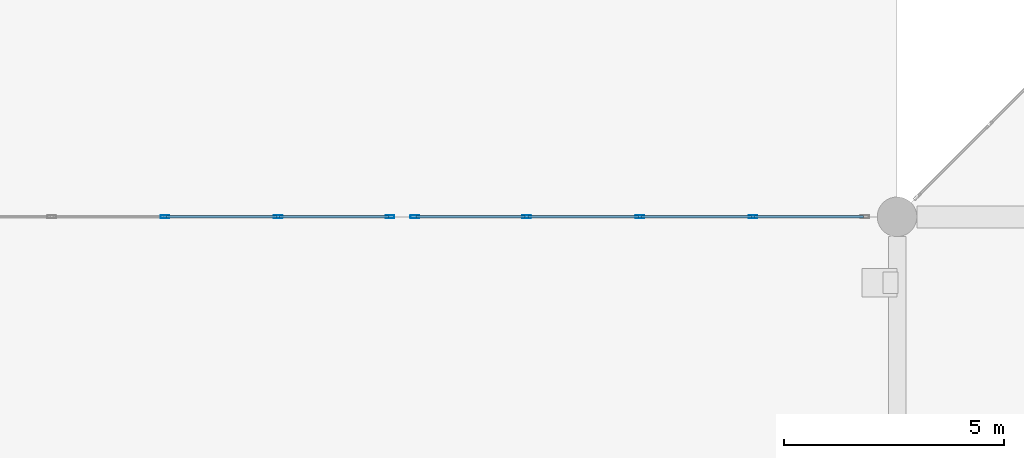
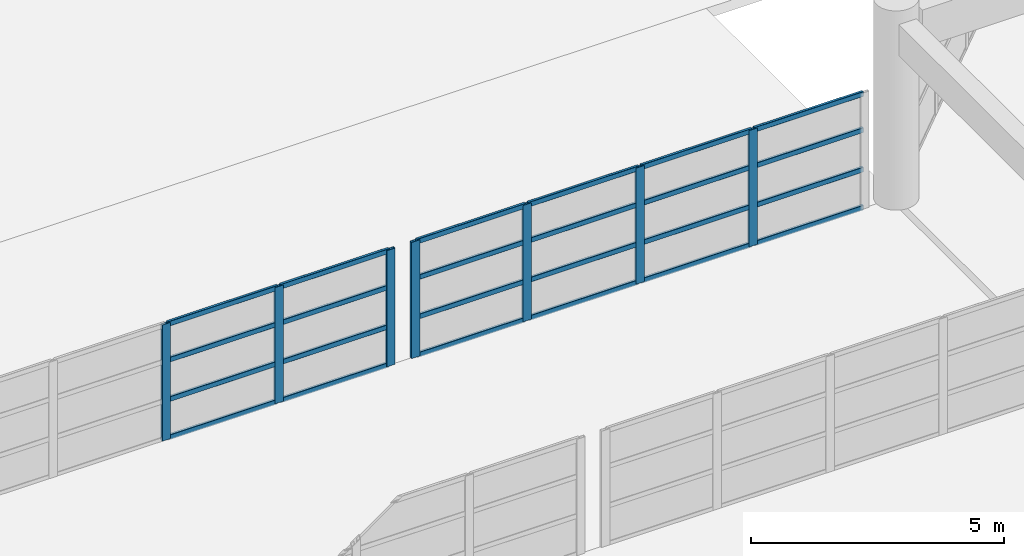
# One storey, part 27 of 122: 31 members, 2 elements without a shape of their own.
"""IFC4 building model written with IfcOpenShell, lengths in metres."""

from ifc_helpers import new_model, si_unit, direction, frame, origin, origin_2d, place, context, subcontext, project, spatial, hollow_rectangle, extrude, material, material_profile, profile_set, type_object, element, aggregate, save


model = new_model("IFC4")

# Units and contexts
model_context = context("Model", 3, precision=1e-05, world=origin(), true_north=direction((0.0, 1.0)))
body_context = subcontext(model_context, "Body", "Model", "MODEL_VIEW")
ifc_project = project(units=[si_unit("LENGTHUNIT", "METRE"), si_unit("AREAUNIT", "SQUARE_METRE"), si_unit("VOLUMEUNIT", "CUBIC_METRE"), si_unit("PLANEANGLEUNIT", "RADIAN"), si_unit("MASSUNIT", "GRAM", prefix="KILO")], contexts=[model_context])

# Site, building, storey
site_placement = place(None, origin())
site = spatial("IfcSite", under=ifc_project, at=site_placement, CompositionType="ELEMENT")
building_placement = place(site_placement, origin())
building = spatial("IfcBuilding", under=site, at=building_placement, Name="Qasida Concert Hall", CompositionType="ELEMENT")
storey_placement = place(building_placement, origin())
storey = spatial("IfcBuildingStorey", under=building, at=storey_placement, Name="L00", CompositionType="ELEMENT", Elevation=0.0)

# Curtain wall, members
ifc_material_1 = material(Name="Architectural bronze-anodized aluminium and low-E glass", Category="aluminium")
curtain_wall_type = type_object("IfcCurtainWallType", Name="CW-07", PredefinedType="NOTDEFINED", material=ifc_material_1)
curtain_wall_1_placement = place(storey_placement, origin())
curtain_wall_1 = element("IfcCurtainWall", 1, at=curtain_wall_1_placement, inside=storey, type_object=curtain_wall_type, Name="L00 link bridge glazing 0231", PredefinedType="NOTDEFINED")
ifc_material_2 = material(Name="Architectural bronze-anodized aluminium EN AW-6063", Category="aluminium")
ifc_material_profile_1 = material_profile(ifc_material_2, hollow_rectangle(XDim=0.06494140625, YDim=0.199951171875, WallThickness=0.0048828125, InnerFilletRadius=0.0048828125, OuterFilletRadius=0.010009765625, at=origin_2d()), Name="CWM 200x65x5")
ifc_profile_set_1 = profile_set([ifc_material_profile_1], Name="Architectural bronze-anodized aluminium EN AW-6063")
member_type_1 = type_object("IfcMemberType", Name="MB-CWM-2", PredefinedType="MULLION", material=ifc_profile_set_1)
member_1_placement = place(storey_placement, frame((110.85009765625, 22.5, 0.0), z_axis=(0.0, 0.0, 1.0), x_axis=(0.0, 1.0, 0.0)))
member_1 = element("IfcMember", 2, at=member_1_placement, type_object=member_type_1, Name="CW-07 mullion 3", PredefinedType="MULLION", context=body_context, shape_type="SweptSolid", body=[
    extrude(hollow_rectangle(XDim=0.06494140625, YDim=0.199951171875, WallThickness=0.0048828125, InnerFilletRadius=0.0048828125, OuterFilletRadius=0.010009765625, at=origin_2d()), origin(), (0.0, 0.0, 1.0), 2.800048828125),
])
member_2_placement = place(storey_placement, frame((113.425048828125, 22.5, 0.0), z_axis=(0.0, 0.0, 1.0), x_axis=(0.0, 1.0, 0.0)))
member_2 = element("IfcMember", 3, at=member_2_placement, type_object=member_type_1, Name="CW-07 mullion 4", PredefinedType="MULLION", context=body_context, shape_type="SweptSolid", body=[
    extrude(hollow_rectangle(XDim=0.06494140625, YDim=0.199951171875, WallThickness=0.0048828125, InnerFilletRadius=0.0048828125, OuterFilletRadius=0.010009765625, at=origin_2d()), origin(), (0.0, 0.0, 1.0), 2.800048828125),
])
member_3_placement = place(storey_placement, frame((115.967529296875, 22.5, 0.0), z_axis=(0.0, 0.0, 1.0), x_axis=(0.0, 1.0, 0.0)))
member_3 = element("IfcMember", 4, at=member_3_placement, type_object=member_type_1, Name="CW-07 mullion 5", PredefinedType="MULLION", context=body_context, shape_type="SweptSolid", body=[
    extrude(hollow_rectangle(XDim=0.06494140625, YDim=0.199951171875, WallThickness=0.0048828125, InnerFilletRadius=0.0048828125, OuterFilletRadius=0.010009765625, at=origin_2d()), origin(), (0.0, 0.0, 1.0), 2.800048828125),
])

curtain_wall_2_placement = place(storey_placement, origin())
curtain_wall_2 = element("IfcCurtainWall", 5, at=curtain_wall_2_placement, inside=storey, type_object=curtain_wall_type, Name="L00 link bridge glazing 0233", PredefinedType="NOTDEFINED")
member_4_placement = place(storey_placement, frame((116.532470703125, 22.5, 0.0), z_axis=(0.0, 0.0, 1.0), x_axis=(0.0, 1.0, 0.0)))
member_4 = element("IfcMember", 6, at=member_4_placement, type_object=member_type_1, Name="CW-07 mullion 1", PredefinedType="MULLION", context=body_context, shape_type="SweptSolid", body=[
    extrude(hollow_rectangle(XDim=0.06494140625, YDim=0.199951171875, WallThickness=0.0048828125, InnerFilletRadius=0.0048828125, OuterFilletRadius=0.010009765625, at=origin_2d()), origin(), (0.0, 0.0, 1.0), 2.800048828125),
])
member_5_placement = place(storey_placement, frame((119.074951171875, 22.5, 0.0), z_axis=(0.0, 0.0, 1.0), x_axis=(0.0, 1.0, 0.0)))
member_5 = element("IfcMember", 7, at=member_5_placement, type_object=member_type_1, Name="CW-07 mullion 2", PredefinedType="MULLION", context=body_context, shape_type="SweptSolid", body=[
    extrude(hollow_rectangle(XDim=0.06494140625, YDim=0.199951171875, WallThickness=0.0048828125, InnerFilletRadius=0.0048828125, OuterFilletRadius=0.010009765625, at=origin_2d()), origin(), (0.0, 0.0, 1.0), 2.800048828125),
])
member_6_placement = place(storey_placement, frame((121.64990234375, 22.5, 0.0), z_axis=(0.0, 0.0, 1.0), x_axis=(0.0, 1.0, 0.0)))
member_6 = element("IfcMember", 8, at=member_6_placement, type_object=member_type_1, Name="CW-07 mullion 3", PredefinedType="MULLION", context=body_context, shape_type="SweptSolid", body=[
    extrude(hollow_rectangle(XDim=0.06494140625, YDim=0.199951171875, WallThickness=0.0048828125, InnerFilletRadius=0.0048828125, OuterFilletRadius=0.010009765625, at=origin_2d()), origin(), (0.0, 0.0, 1.0), 2.800048828125),
])
member_7_placement = place(storey_placement, frame((124.22509765625, 22.5, 0.0), z_axis=(0.0, 0.0, 1.0), x_axis=(0.0, 1.0, 0.0)))
member_7 = element("IfcMember", 9, at=member_7_placement, type_object=member_type_1, Name="CW-07 mullion 4", PredefinedType="MULLION", context=body_context, shape_type="SweptSolid", body=[
    extrude(hollow_rectangle(XDim=0.06494140625, YDim=0.199951171875, WallThickness=0.0048828125, InnerFilletRadius=0.0048828125, OuterFilletRadius=0.010009765625, at=origin_2d()), origin(), (0.0, 0.0, 1.0), 2.800048828125),
])

# Member
ifc_material_profile_2 = material_profile(ifc_material_2, hollow_rectangle(XDim=0.06005859375, YDim=0.1201171875, WallThickness=0.00390625, InnerFilletRadius=0.00390625, OuterFilletRadius=0.008056640625, at=origin_2d()), Name="CWT 120x60x4")
ifc_profile_set_2 = profile_set([ifc_material_profile_2], Name="Architectural bronze-anodized aluminium EN AW-6063")
member_type_2 = type_object("IfcMemberType", Name="MB-CWT-2", PredefinedType="USERDEFINED", material=ifc_profile_set_2)
member_8_placement = place(storey_placement, frame((110.882568359375, 22.5, 0.030029296875), z_axis=(1.0, 0.0, 0.0), x_axis=(0.0, 1.0, 0.0)))
member_8 = element("IfcMember", 10, at=member_8_placement, type_object=member_type_2, Name="CW-07 transom 3.1", ObjectType="TRANSOM", PredefinedType="USERDEFINED", context=body_context, shape_type="SweptSolid", body=[
    extrude(hollow_rectangle(XDim=0.06005859375, YDim=0.1201171875, WallThickness=0.00390625, InnerFilletRadius=0.00390625, OuterFilletRadius=0.008056640625, at=origin_2d()), origin(), (0.0, 0.0, 1.0), 2.510009765625),
])

member_9_placement = place(storey_placement, frame((110.882568359375, 22.5, 0.949951171875), z_axis=(1.0, 0.0, 0.0), x_axis=(0.0, 1.0, 0.0)))
member_9 = element("IfcMember", 11, at=member_9_placement, type_object=member_type_2, Name="CW-07 transom 3.2", ObjectType="TRANSOM", PredefinedType="USERDEFINED", context=body_context, shape_type="SweptSolid", body=[
    extrude(hollow_rectangle(XDim=0.06005859375, YDim=0.1201171875, WallThickness=0.00390625, InnerFilletRadius=0.00390625, OuterFilletRadius=0.008056640625, at=origin_2d()), origin(), (0.0, 0.0, 1.0), 2.510009765625),
])

member_10_placement = place(storey_placement, frame((110.882568359375, 22.5, 1.89990234375), z_axis=(1.0, 0.0, 0.0), x_axis=(0.0, 1.0, 0.0)))
member_10 = element("IfcMember", 12, at=member_10_placement, type_object=member_type_2, Name="CW-07 transom 3.3", ObjectType="TRANSOM", PredefinedType="USERDEFINED", context=body_context, shape_type="SweptSolid", body=[
    extrude(hollow_rectangle(XDim=0.06005859375, YDim=0.1201171875, WallThickness=0.00390625, InnerFilletRadius=0.00390625, OuterFilletRadius=0.008056640625, at=origin_2d()), origin(), (0.0, 0.0, 1.0), 2.510009765625),
])

member_11_placement = place(storey_placement, frame((110.882568359375, 22.5, 2.77001953125), z_axis=(1.0, 0.0, 0.0), x_axis=(0.0, 1.0, 0.0)))
member_11 = element("IfcMember", 13, at=member_11_placement, type_object=member_type_2, Name="CW-07 transom 3.4", ObjectType="TRANSOM", PredefinedType="USERDEFINED", context=body_context, shape_type="SweptSolid", body=[
    extrude(hollow_rectangle(XDim=0.06005859375, YDim=0.1201171875, WallThickness=0.00390625, InnerFilletRadius=0.00390625, OuterFilletRadius=0.008056640625, at=origin_2d()), origin(), (0.0, 0.0, 1.0), 2.510009765625),
])

member_12_placement = place(storey_placement, frame((113.45751953125, 22.5, 0.030029296875), z_axis=(1.0, 0.0, 0.0), x_axis=(0.0, 1.0, 0.0)))
member_12 = element("IfcMember", 14, at=member_12_placement, type_object=member_type_2, Name="CW-07 transom 4.1", ObjectType="TRANSOM", PredefinedType="USERDEFINED", context=body_context, shape_type="SweptSolid", body=[
    extrude(hollow_rectangle(XDim=0.06005859375, YDim=0.1201171875, WallThickness=0.00390625, InnerFilletRadius=0.00390625, OuterFilletRadius=0.008056640625, at=origin_2d()), origin(), (0.0, 0.0, 1.0), 2.4775390625),
])

member_13_placement = place(storey_placement, frame((113.45751953125, 22.5, 0.949951171875), z_axis=(1.0, 0.0, 0.0), x_axis=(0.0, 1.0, 0.0)))
member_13 = element("IfcMember", 15, at=member_13_placement, type_object=member_type_2, Name="CW-07 transom 4.2", ObjectType="TRANSOM", PredefinedType="USERDEFINED", context=body_context, shape_type="SweptSolid", body=[
    extrude(hollow_rectangle(XDim=0.06005859375, YDim=0.1201171875, WallThickness=0.00390625, InnerFilletRadius=0.00390625, OuterFilletRadius=0.008056640625, at=origin_2d()), origin(), (0.0, 0.0, 1.0), 2.4775390625),
])

member_14_placement = place(storey_placement, frame((113.45751953125, 22.5, 1.89990234375), z_axis=(1.0, 0.0, 0.0), x_axis=(0.0, 1.0, 0.0)))
member_14 = element("IfcMember", 16, at=member_14_placement, type_object=member_type_2, Name="CW-07 transom 4.3", ObjectType="TRANSOM", PredefinedType="USERDEFINED", context=body_context, shape_type="SweptSolid", body=[
    extrude(hollow_rectangle(XDim=0.06005859375, YDim=0.1201171875, WallThickness=0.00390625, InnerFilletRadius=0.00390625, OuterFilletRadius=0.008056640625, at=origin_2d()), origin(), (0.0, 0.0, 1.0), 2.4775390625),
])

member_15_placement = place(storey_placement, frame((113.45751953125, 22.5, 2.77001953125), z_axis=(1.0, 0.0, 0.0), x_axis=(0.0, 1.0, 0.0)))
member_15 = element("IfcMember", 17, at=member_15_placement, type_object=member_type_2, Name="CW-07 transom 4.4", ObjectType="TRANSOM", PredefinedType="USERDEFINED", context=body_context, shape_type="SweptSolid", body=[
    extrude(hollow_rectangle(XDim=0.06005859375, YDim=0.1201171875, WallThickness=0.00390625, InnerFilletRadius=0.00390625, OuterFilletRadius=0.008056640625, at=origin_2d()), origin(), (0.0, 0.0, 1.0), 2.4775390625),
])

aggregate(curtain_wall_1, [member_1, member_2, member_3, member_8, member_9, member_10, member_11, member_12, member_13, member_14, member_15])

member_16_placement = place(storey_placement, frame((116.56494140625, 22.5, 0.030029296875), z_axis=(1.0, 0.0, 0.0), x_axis=(0.0, 1.0, 0.0)))
member_16 = element("IfcMember", 18, at=member_16_placement, type_object=member_type_2, Name="CW-07 transom 1.1", ObjectType="TRANSOM", PredefinedType="USERDEFINED", context=body_context, shape_type="SweptSolid", body=[
    extrude(hollow_rectangle(XDim=0.06005859375, YDim=0.1201171875, WallThickness=0.00390625, InnerFilletRadius=0.00390625, OuterFilletRadius=0.008056640625, at=origin_2d()), origin(), (0.0, 0.0, 1.0), 2.4775390625),
])

member_17_placement = place(storey_placement, frame((116.56494140625, 22.5, 0.949951171875), z_axis=(1.0, 0.0, 0.0), x_axis=(0.0, 1.0, 0.0)))
member_17 = element("IfcMember", 19, at=member_17_placement, type_object=member_type_2, Name="CW-07 transom 1.2", ObjectType="TRANSOM", PredefinedType="USERDEFINED", context=body_context, shape_type="SweptSolid", body=[
    extrude(hollow_rectangle(XDim=0.06005859375, YDim=0.1201171875, WallThickness=0.00390625, InnerFilletRadius=0.00390625, OuterFilletRadius=0.008056640625, at=origin_2d()), origin(), (0.0, 0.0, 1.0), 2.4775390625),
])

member_18_placement = place(storey_placement, frame((116.56494140625, 22.5, 1.89990234375), z_axis=(1.0, 0.0, 0.0), x_axis=(0.0, 1.0, 0.0)))
member_18 = element("IfcMember", 20, at=member_18_placement, type_object=member_type_2, Name="CW-07 transom 1.3", ObjectType="TRANSOM", PredefinedType="USERDEFINED", context=body_context, shape_type="SweptSolid", body=[
    extrude(hollow_rectangle(XDim=0.06005859375, YDim=0.1201171875, WallThickness=0.00390625, InnerFilletRadius=0.00390625, OuterFilletRadius=0.008056640625, at=origin_2d()), origin(), (0.0, 0.0, 1.0), 2.4775390625),
])

member_19_placement = place(storey_placement, frame((116.56494140625, 22.5, 2.77001953125), z_axis=(1.0, 0.0, 0.0), x_axis=(0.0, 1.0, 0.0)))
member_19 = element("IfcMember", 21, at=member_19_placement, type_object=member_type_2, Name="CW-07 transom 1.4", ObjectType="TRANSOM", PredefinedType="USERDEFINED", context=body_context, shape_type="SweptSolid", body=[
    extrude(hollow_rectangle(XDim=0.06005859375, YDim=0.1201171875, WallThickness=0.00390625, InnerFilletRadius=0.00390625, OuterFilletRadius=0.008056640625, at=origin_2d()), origin(), (0.0, 0.0, 1.0), 2.4775390625),
])

member_20_placement = place(storey_placement, frame((119.107421875, 22.5, 0.030029296875), z_axis=(1.0, 0.0, 0.0), x_axis=(0.0, 1.0, 0.0)))
member_20 = element("IfcMember", 22, at=member_20_placement, type_object=member_type_2, Name="CW-07 transom 2.1", ObjectType="TRANSOM", PredefinedType="USERDEFINED", context=body_context, shape_type="SweptSolid", body=[
    extrude(hollow_rectangle(XDim=0.06005859375, YDim=0.1201171875, WallThickness=0.00390625, InnerFilletRadius=0.00390625, OuterFilletRadius=0.008056640625, at=origin_2d()), origin(), (0.0, 0.0, 1.0), 2.510009765625),
])

member_21_placement = place(storey_placement, frame((119.107421875, 22.5, 0.949951171875), z_axis=(1.0, 0.0, 0.0), x_axis=(0.0, 1.0, 0.0)))
member_21 = element("IfcMember", 23, at=member_21_placement, type_object=member_type_2, Name="CW-07 transom 2.2", ObjectType="TRANSOM", PredefinedType="USERDEFINED", context=body_context, shape_type="SweptSolid", body=[
    extrude(hollow_rectangle(XDim=0.06005859375, YDim=0.1201171875, WallThickness=0.00390625, InnerFilletRadius=0.00390625, OuterFilletRadius=0.008056640625, at=origin_2d()), origin(), (0.0, 0.0, 1.0), 2.510009765625),
])

member_22_placement = place(storey_placement, frame((119.107421875, 22.5, 1.89990234375), z_axis=(1.0, 0.0, 0.0), x_axis=(0.0, 1.0, 0.0)))
member_22 = element("IfcMember", 24, at=member_22_placement, type_object=member_type_2, Name="CW-07 transom 2.3", ObjectType="TRANSOM", PredefinedType="USERDEFINED", context=body_context, shape_type="SweptSolid", body=[
    extrude(hollow_rectangle(XDim=0.06005859375, YDim=0.1201171875, WallThickness=0.00390625, InnerFilletRadius=0.00390625, OuterFilletRadius=0.008056640625, at=origin_2d()), origin(), (0.0, 0.0, 1.0), 2.510009765625),
])

member_23_placement = place(storey_placement, frame((119.107421875, 22.5, 2.77001953125), z_axis=(1.0, 0.0, 0.0), x_axis=(0.0, 1.0, 0.0)))
member_23 = element("IfcMember", 25, at=member_23_placement, type_object=member_type_2, Name="CW-07 transom 2.4", ObjectType="TRANSOM", PredefinedType="USERDEFINED", context=body_context, shape_type="SweptSolid", body=[
    extrude(hollow_rectangle(XDim=0.06005859375, YDim=0.1201171875, WallThickness=0.00390625, InnerFilletRadius=0.00390625, OuterFilletRadius=0.008056640625, at=origin_2d()), origin(), (0.0, 0.0, 1.0), 2.510009765625),
])

member_24_placement = place(storey_placement, frame((121.6826171875, 22.5, 0.030029296875), z_axis=(1.0, 0.0, 0.0), x_axis=(0.0, 1.0, 0.0)))
member_24 = element("IfcMember", 26, at=member_24_placement, type_object=member_type_2, Name="CW-07 transom 3.1", ObjectType="TRANSOM", PredefinedType="USERDEFINED", context=body_context, shape_type="SweptSolid", body=[
    extrude(hollow_rectangle(XDim=0.06005859375, YDim=0.1201171875, WallThickness=0.00390625, InnerFilletRadius=0.00390625, OuterFilletRadius=0.008056640625, at=origin_2d()), origin(), (0.0, 0.0, 1.0), 2.509765625),
])

member_25_placement = place(storey_placement, frame((121.6826171875, 22.5, 0.949951171875), z_axis=(1.0, 0.0, 0.0), x_axis=(0.0, 1.0, 0.0)))
member_25 = element("IfcMember", 27, at=member_25_placement, type_object=member_type_2, Name="CW-07 transom 3.2", ObjectType="TRANSOM", PredefinedType="USERDEFINED", context=body_context, shape_type="SweptSolid", body=[
    extrude(hollow_rectangle(XDim=0.06005859375, YDim=0.1201171875, WallThickness=0.00390625, InnerFilletRadius=0.00390625, OuterFilletRadius=0.008056640625, at=origin_2d()), origin(), (0.0, 0.0, 1.0), 2.509765625),
])

member_26_placement = place(storey_placement, frame((121.6826171875, 22.5, 1.89990234375), z_axis=(1.0, 0.0, 0.0), x_axis=(0.0, 1.0, 0.0)))
member_26 = element("IfcMember", 28, at=member_26_placement, type_object=member_type_2, Name="CW-07 transom 3.3", ObjectType="TRANSOM", PredefinedType="USERDEFINED", context=body_context, shape_type="SweptSolid", body=[
    extrude(hollow_rectangle(XDim=0.06005859375, YDim=0.1201171875, WallThickness=0.00390625, InnerFilletRadius=0.00390625, OuterFilletRadius=0.008056640625, at=origin_2d()), origin(), (0.0, 0.0, 1.0), 2.509765625),
])

member_27_placement = place(storey_placement, frame((121.6826171875, 22.5, 2.77001953125), z_axis=(1.0, 0.0, 0.0), x_axis=(0.0, 1.0, 0.0)))
member_27 = element("IfcMember", 29, at=member_27_placement, type_object=member_type_2, Name="CW-07 transom 3.4", ObjectType="TRANSOM", PredefinedType="USERDEFINED", context=body_context, shape_type="SweptSolid", body=[
    extrude(hollow_rectangle(XDim=0.06005859375, YDim=0.1201171875, WallThickness=0.00390625, InnerFilletRadius=0.00390625, OuterFilletRadius=0.008056640625, at=origin_2d()), origin(), (0.0, 0.0, 1.0), 2.509765625),
])

member_28_placement = place(storey_placement, frame((124.257568359375, 22.5, 0.030029296875), z_axis=(1.0, 0.0, 0.0), x_axis=(0.0, 1.0, 0.0)))
member_28 = element("IfcMember", 30, at=member_28_placement, type_object=member_type_2, Name="CW-07 transom 4.1", ObjectType="TRANSOM", PredefinedType="USERDEFINED", context=body_context, shape_type="SweptSolid", body=[
    extrude(hollow_rectangle(XDim=0.06005859375, YDim=0.1201171875, WallThickness=0.00390625, InnerFilletRadius=0.00390625, OuterFilletRadius=0.008056640625, at=origin_2d()), origin(), (0.0, 0.0, 1.0), 2.4775390625),
])

member_29_placement = place(storey_placement, frame((124.257568359375, 22.5, 0.949951171875), z_axis=(1.0, 0.0, 0.0), x_axis=(0.0, 1.0, 0.0)))
member_29 = element("IfcMember", 31, at=member_29_placement, type_object=member_type_2, Name="CW-07 transom 4.2", ObjectType="TRANSOM", PredefinedType="USERDEFINED", context=body_context, shape_type="SweptSolid", body=[
    extrude(hollow_rectangle(XDim=0.06005859375, YDim=0.1201171875, WallThickness=0.00390625, InnerFilletRadius=0.00390625, OuterFilletRadius=0.008056640625, at=origin_2d()), origin(), (0.0, 0.0, 1.0), 2.4775390625),
])

member_30_placement = place(storey_placement, frame((124.257568359375, 22.5, 1.89990234375), z_axis=(1.0, 0.0, 0.0), x_axis=(0.0, 1.0, 0.0)))
member_30 = element("IfcMember", 32, at=member_30_placement, type_object=member_type_2, Name="CW-07 transom 4.3", ObjectType="TRANSOM", PredefinedType="USERDEFINED", context=body_context, shape_type="SweptSolid", body=[
    extrude(hollow_rectangle(XDim=0.06005859375, YDim=0.1201171875, WallThickness=0.00390625, InnerFilletRadius=0.00390625, OuterFilletRadius=0.008056640625, at=origin_2d()), origin(), (0.0, 0.0, 1.0), 2.4775390625),
])

member_31_placement = place(storey_placement, frame((124.257568359375, 22.5, 2.77001953125), z_axis=(1.0, 0.0, 0.0), x_axis=(0.0, 1.0, 0.0)))
member_31 = element("IfcMember", 33, at=member_31_placement, type_object=member_type_2, Name="CW-07 transom 4.4", ObjectType="TRANSOM", PredefinedType="USERDEFINED", context=body_context, shape_type="SweptSolid", body=[
    extrude(hollow_rectangle(XDim=0.06005859375, YDim=0.1201171875, WallThickness=0.00390625, InnerFilletRadius=0.00390625, OuterFilletRadius=0.008056640625, at=origin_2d()), origin(), (0.0, 0.0, 1.0), 2.4775390625),
])

aggregate(curtain_wall_2, [member_4, member_5, member_6, member_7, member_16, member_17, member_18, member_19, member_20, member_21, member_22, member_23, member_24, member_25, member_26, member_27, member_28, member_29, member_30, member_31])

save(model, "model.ifc")
